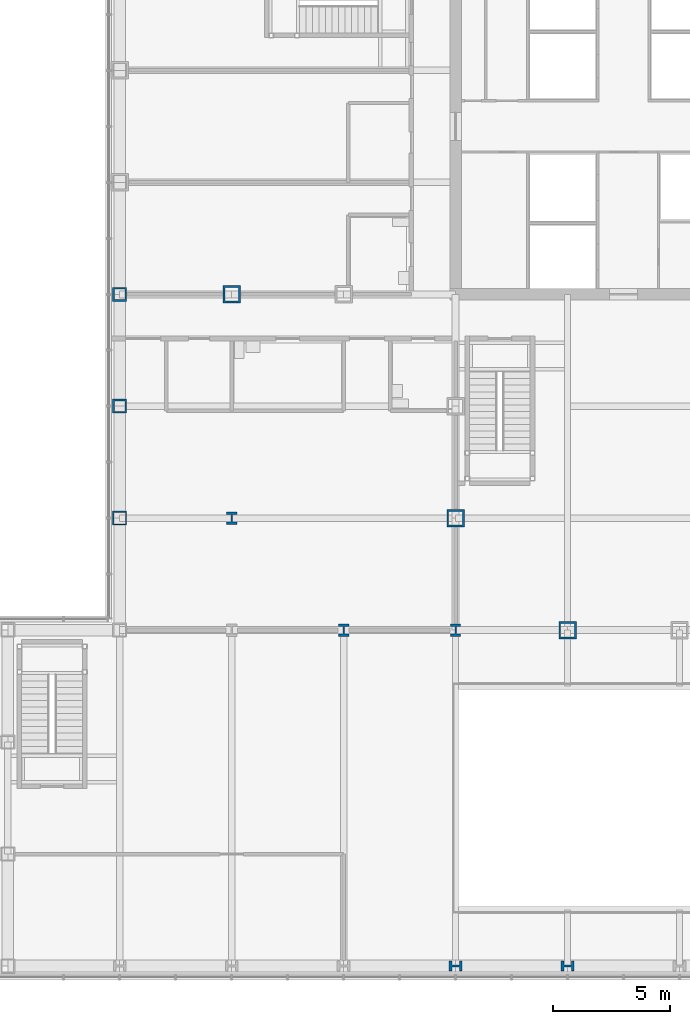
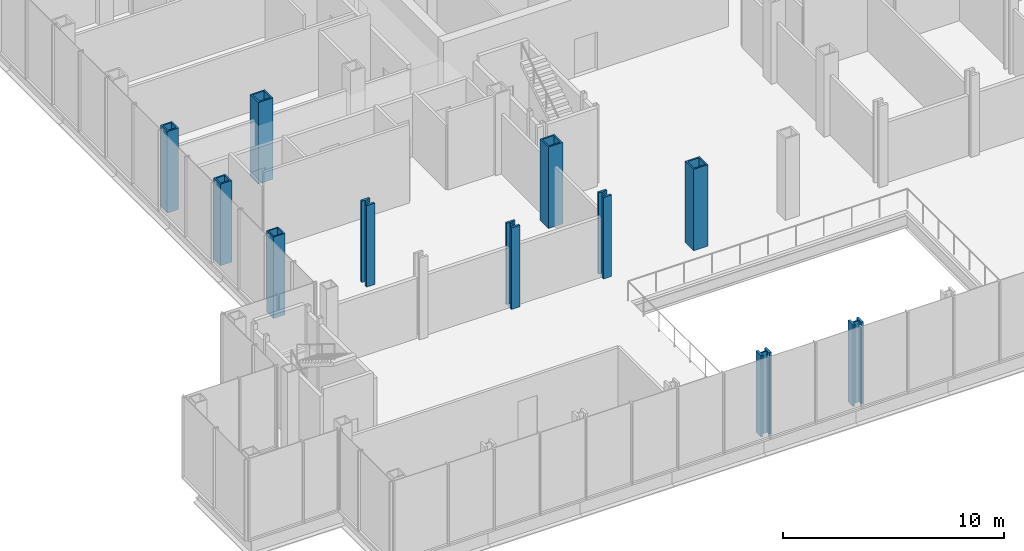
# One storey, part 2 of 25: 11 columns.
"""IFC4 building model written with IfcOpenShell, lengths in metres."""

from ifc_helpers import new_model, si_unit, direction, frame, origin, origin_2d, place, context, subcontext, project, spatial, hollow_rectangle, i_section, extrude, material, material_profile, profile_set, type_object, element, save


model = new_model("IFC4")

# Units and contexts
model_context = context("Model", 3, precision=1e-05, world=origin(), true_north=direction((0.0, 1.0)))
body_context = subcontext(model_context, "Body", "Model", "MODEL_VIEW")
ifc_project = project(units=[si_unit("LENGTHUNIT", "METRE"), si_unit("AREAUNIT", "SQUARE_METRE"), si_unit("VOLUMEUNIT", "CUBIC_METRE"), si_unit("PLANEANGLEUNIT", "RADIAN"), si_unit("MASSUNIT", "GRAM", prefix="KILO")], contexts=[model_context])

# Site, building, storey
site_placement = place(None, origin())
site = spatial("IfcSite", under=ifc_project, at=site_placement, CompositionType="ELEMENT")
building_placement = place(site_placement, origin())
building = spatial("IfcBuilding", under=site, at=building_placement, Name="Kvirike Care Tower", CompositionType="ELEMENT")
storey_placement = place(building_placement, frame((0.0, 0.0, 13.5)))
storey = spatial("IfcBuildingStorey", under=building, at=storey_placement, Name="L03", CompositionType="ELEMENT", Elevation=13.5)

# Columns
ifc_material_1 = material(Name="Steel S460", Category="steel")
ifc_material_profile_1 = material_profile(ifc_material_1, hollow_rectangle(XDim=0.60009765625, YDim=0.60009765625, WallThickness=0.06005859375, at=origin_2d()), Name="BX 600x600x60")
ifc_profile_set_1 = profile_set([ifc_material_profile_1], Name="Steel S460")
column_type_1 = type_object("IfcColumnType", Name="COLUMN BX 600x600x60", PredefinedType="COLUMN", material=ifc_profile_set_1)
column_placement = place(storey_placement, frame((0.0, 19.199951171875, 0.0), z_axis=(0.0, 0.0, 1.0), x_axis=(1.0, 0.0, 0.0)))
element("IfcColumn", 1, at=column_placement, inside=storey, type_object=column_type_1, Name="Column E3 L03", PredefinedType="COLUMN", context=body_context, shape_type="SweptSolid", body=[
    extrude(hollow_rectangle(XDim=0.60009765625, YDim=0.60009765625, WallThickness=0.06005859375, at=origin_2d()), origin(), (0.0, 0.0, 1.0), 4.5),
])
ifc_material_2 = material(Name="Steel S460", Category="steel")
ifc_material_profile_2 = material_profile(ifc_material_2, hollow_rectangle(XDim=0.60009765625, YDim=0.60009765625, WallThickness=0.080078125, at=origin_2d()), Name="BX 600x600x80")
ifc_profile_set_2 = profile_set([ifc_material_profile_2], Name="Steel S460")
column_type_2 = type_object("IfcColumnType", Name="COLUMN BX 600x600x80", PredefinedType="COLUMN", material=ifc_profile_set_2)
for number, where, z_axis, x_axis, name in (
    (2, (0.0, 24.0, 0.0), (0.0, 0.0, 1.0), (1.0, 0.0, 0.0), "Column F3 L03"),
    (3, (0.0, 28.800048828125, 0.0), (0.0, 0.0, 1.0), (0.0, 1.0, 0.0), "Column G3 L03"),
):
    element("IfcColumn", number, at=place(storey_placement, frame(where, z_axis=z_axis, x_axis=x_axis)), inside=storey, type_object=column_type_2, Name=name, PredefinedType="COLUMN", context=body_context, shape_type="SweptSolid", body=[
        extrude(hollow_rectangle(XDim=0.60009765625, YDim=0.60009765625, WallThickness=0.080078125, at=origin_2d()), origin(), (0.0, 0.0, 1.0), 4.5),
    ])
ifc_material_3 = material(Name="Steel S460", Category="steel")
ifc_material_profile_3 = material_profile(ifc_material_3, hollow_rectangle(XDim=0.75, YDim=0.75, WallThickness=0.080078125, at=origin_2d()), Name="BX 750x750x80")
ifc_profile_set_3 = profile_set([ifc_material_profile_3], Name="Steel S460")
column_type_3 = type_object("IfcColumnType", Name="COLUMN BX 750x750x80", PredefinedType="COLUMN", material=ifc_profile_set_3)
for number, where, z_axis, x_axis, name in (
    (4, (4.800048828125, 28.800048828125, 0.0), (0.0, 0.0, 1.0), (0.0, 1.0, 0.0), "Column G4 L03"),
    (5, (14.39990234375, 19.199951171875, 0.0), (0.0, 0.0, 1.0), (1.0, 0.0, 0.0), "Column E6 L03"),
    (6, (19.199951171875, 14.39990234375, 0.0), (0.0, 0.0, 1.0), (1.0, 0.0, 0.0), "Column D7 L03"),
):
    element("IfcColumn", number, at=place(storey_placement, frame(where, z_axis=z_axis, x_axis=x_axis)), inside=storey, type_object=column_type_3, Name=name, PredefinedType="COLUMN", context=body_context, shape_type="SweptSolid", body=[
        extrude(hollow_rectangle(XDim=0.75, YDim=0.75, WallThickness=0.080078125, at=origin_2d()), origin(), (0.0, 0.0, 1.0), 4.5),
    ])
ifc_material_4 = material(Name="Steel S460", Category="steel")
ifc_material_profile_4 = material_profile(ifc_material_4, i_section(OverallWidth=0.44189453125, OverallDepth=0.531005859375, WebThickness=0.06591796875, FlangeThickness=0.10595703125, FilletRadius=0.014892578125, at=origin_2d()), Name="HD 400x900")
ifc_profile_set_4 = profile_set([ifc_material_profile_4], Name="Steel S460")
column_type_4 = type_object("IfcColumnType", Name="COLUMN HD 400x900", PredefinedType="COLUMN", material=ifc_profile_set_4)
for number, where, z_axis, x_axis, name in (
    (7, (4.800048828125, 19.199951171875, 0.0), (0.0, 0.0, 1.0), (1.0, 0.0, 0.0), "Column E4 L03"),
    (8, (9.60009765625, 14.39990234375, 0.0), (0.0, 0.0, 1.0), (1.0, 0.0, 0.0), "Column D5 L03"),
    (9, (14.39990234375, 14.39990234375, 0.0), (0.0, 0.0, 1.0), (1.0, 0.0, 0.0), "Column D6 L03"),
):
    element("IfcColumn", number, at=place(storey_placement, frame(where, z_axis=z_axis, x_axis=x_axis)), inside=storey, type_object=column_type_4, Name=name, PredefinedType="COLUMN", context=body_context, shape_type="SweptSolid", body=[
        extrude(i_section(OverallWidth=0.44189453125, OverallDepth=0.531005859375, WebThickness=0.06591796875, FlangeThickness=0.10595703125, FilletRadius=0.014892578125, at=origin_2d()), origin(), (0.0, 0.0, 1.0), 4.5),
    ])
ifc_material_5 = material(Name="Steel S460", Category="steel")
ifc_material_profile_5 = material_profile(ifc_material_5, i_section(OverallWidth=0.447998046875, OverallDepth=0.550048828125, WebThickness=0.072021484375, FlangeThickness=0.114990234375, FilletRadius=0.014892578125, at=origin_2d()), Name="HD 400x990")
ifc_profile_set_5 = profile_set([ifc_material_profile_5], Name="Steel S460")
column_type_5 = type_object("IfcColumnType", Name="COLUMN HD 400x990", PredefinedType="COLUMN", material=ifc_profile_set_5)
for number, where, z_axis, x_axis, name in (
    (10, (14.39990234375, 0.0, 0.0), (0.0, 0.0, 1.0), (0.0, 1.0, 0.0), "Column A6 L03"),
    (11, (19.199951171875, 0.0, 0.0), (0.0, 0.0, 1.0), (0.0, 1.0, 0.0), "Column A7 L03"),
):
    element("IfcColumn", number, at=place(storey_placement, frame(where, z_axis=z_axis, x_axis=x_axis)), inside=storey, type_object=column_type_5, Name=name, PredefinedType="COLUMN", context=body_context, shape_type="SweptSolid", body=[
        extrude(i_section(OverallWidth=0.447998046875, OverallDepth=0.550048828125, WebThickness=0.072021484375, FlangeThickness=0.114990234375, FilletRadius=0.014892578125, at=origin_2d()), origin(), (0.0, 0.0, 1.0), 4.5),
    ])

save(model, "model.ifc")
